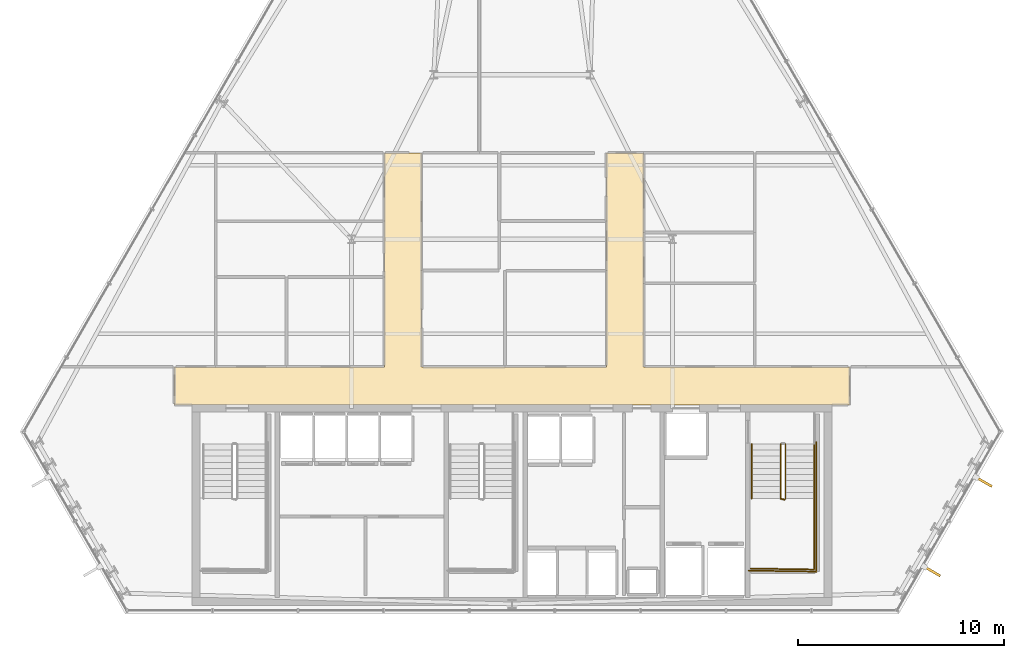
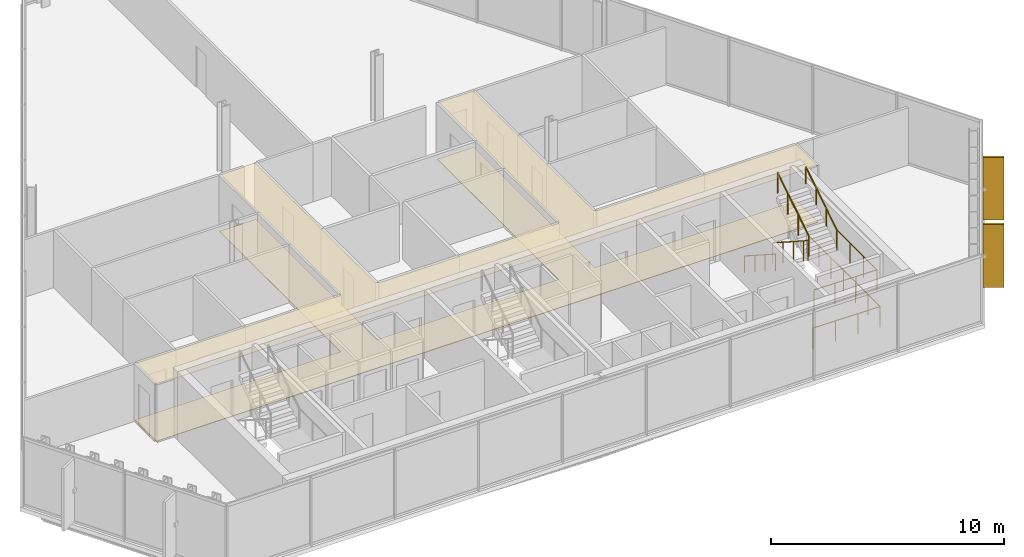
# One storey, part 33 of 35: 6 railings, 2 coverings, 2 shading devices.
"""IFC4 building model written with IfcOpenShell, lengths in metres."""

from ifc_helpers import new_model, si_unit, direction, frame, origin, origin_2d, place, context, subcontext, project, spatial, polyline, rectangle, circle, outline, extrude, material, layer, layer_set, type_object, element, save


model = new_model("IFC4")

# Units and contexts
model_context = context("Model", 3, precision=1e-05, world=origin(), true_north=direction((0.0, 1.0)))
body_context = subcontext(model_context, "Body", "Model", "MODEL_VIEW")
ifc_project = project(units=[si_unit("LENGTHUNIT", "METRE"), si_unit("AREAUNIT", "SQUARE_METRE"), si_unit("VOLUMEUNIT", "CUBIC_METRE"), si_unit("PLANEANGLEUNIT", "RADIAN"), si_unit("MASSUNIT", "GRAM", prefix="KILO")], contexts=[model_context])

# Site, building, storey
site_placement = place(None, origin())
site = spatial("IfcSite", under=ifc_project, at=site_placement, CompositionType="ELEMENT")
building_placement = place(site_placement, origin())
building = spatial("IfcBuilding", under=site, at=building_placement, Name="Ndaravel Arena Tower", CompositionType="ELEMENT")
storey_placement = place(building_placement, frame((0.0, 0.0, 176.39990234375)))
storey = spatial("IfcBuildingStorey", under=building, at=storey_placement, Name="L42", CompositionType="ELEMENT", Elevation=176.39990234375)

# Coverings
ifc_material_1 = material(Name="Acoustic Ceiling Tile", Category="finish")
ifc_layer_1 = layer(ifc_material_1, 0.02490234375)
ifc_layer_set_1 = layer_set([ifc_layer_1], Name="Acoustic Ceiling Tile")
covering_type_1 = type_object("IfcCoveringType", Name="COV-CEIL-AC600", PredefinedType="CEILING", material=ifc_layer_set_1)
covering_1_placement = place(storey_placement, frame((0.0, 0.0, 2.980712890625)))
element("IfcCovering", 1, at=covering_1_placement, inside=storey, type_object=covering_type_1, Name="L42 Corridor Acoustic Ceiling", PredefinedType="CEILING", context=body_context, shape_type="SweptSolid", body=[
    extrude(outline(polyline([(58.39990234375, 17.0), (48.39990234375, 17.0), (48.39990234375, 27.39990234375), (46.60009765625, 27.39990234375), (46.60009765625, 17.0), (37.60009765625, 17.0), (37.60009765625, 27.39990234375), (35.800048828125, 27.39990234375), (35.800048828125, 17.0), (25.60009765625, 17.0), (25.60009765625, 15.14990234375), (58.39990234375, 15.14990234375), (58.39990234375, 17.0)])), origin(), (0.0, 0.0, 1.0), 0.02490234375),
])
ifc_material_2 = material(Name="Terrazzo", Category="stone")
ifc_layer_2 = layer(ifc_material_2, 0.030029296875)
ifc_layer_set_2 = layer_set([ifc_layer_2], Name="Terrazzo")
covering_type_2 = type_object("IfcCoveringType", Name="COV-FLOOR-TERRAZZO", PredefinedType="FLOORING", material=ifc_layer_set_2)
covering_2_placement = place(storey_placement, origin())
element("IfcCovering", 2, at=covering_2_placement, inside=storey, type_object=covering_type_2, Name="L42 Corridor Terrazzo Flooring", PredefinedType="FLOORING", context=body_context, shape_type="SweptSolid", body=[
    extrude(outline(polyline([(58.39990234375, 17.0), (48.39990234375, 17.0), (48.39990234375, 27.39990234375), (46.60009765625, 27.39990234375), (46.60009765625, 17.0), (37.60009765625, 17.0), (37.60009765625, 27.39990234375), (35.800048828125, 27.39990234375), (35.800048828125, 17.0), (25.60009765625, 17.0), (25.60009765625, 15.14990234375), (58.39990234375, 15.14990234375), (58.39990234375, 17.0)])), origin(), (0.0, 0.0, 1.0), 0.030029296875),
])

# Railings
ifc_material_3 = material(Name="Steel S355", Category="steel")
ifc_layer_3 = layer(ifc_material_3, 0.06005859375)
ifc_layer_set_3 = layer_set([ifc_layer_3], Name="Steel S355")
railing_type_1 = type_object("IfcRailingType", Name="RAIL-STAIR-GD1100", PredefinedType="GUARDRAIL", material=ifc_layer_set_3)
railing_1_placement = place(storey_placement, frame((55.050048828125, 13.25, 0.190185546875)))
element("IfcRailing", 3, at=railing_1_placement, inside=storey, type_object=railing_type_1, Name="L42 ST-3 stair guard 1", PredefinedType="GUARDRAIL", context=body_context, shape_type="SweptSolid", body=[
    extrude(circle(Radius=0.02392578125, at=origin_2d()), frame((0.0, 0.0, 1.076171875), z_axis=(0.0, -0.840723540582, 0.54146461409), x_axis=(1.0, 0.0, 0.0)), (0.0, 0.0, 1.0), 3.157958984375),
    extrude(circle(Radius=0.02392578125, at=origin_2d()), frame((0.0, -2.655029296875, 2.7861328125), z_axis=(0.966993988697, -0.254799187253, 0.0), x_axis=(0.254799187253, 0.966993988697, 0.0)), (0.0, 0.0, 1.0), 0.196533203125),
    extrude(circle(Radius=0.02099609375, at=origin_2d()), origin(), (0.0, 0.0, 1.0), 1.052001953125),
    extrude(circle(Radius=0.02099609375, at=origin_2d()), frame((0.0, -0.885009765625, 0.570068359375)), (0.0, 0.0, 1.0), 1.052001953125),
    extrude(circle(Radius=0.02099609375, at=origin_2d()), frame((0.0, -1.77001953125, 1.139892578125)), (0.0, 0.0, 1.0), 1.052001953125),
    extrude(circle(Radius=0.02099609375, at=origin_2d()), frame((0.0, -2.655029296875, 1.7099609375)), (0.0, 0.0, 1.0), 1.052001953125),
    extrude(circle(Radius=0.02099609375, at=origin_2d()), frame((0.18994140625, -2.705078125, 1.7099609375)), (0.0, 0.0, 1.0), 1.052001953125),
])
railing_2_placement = place(storey_placement, frame((56.68994140625, 10.594970703125, 1.900146484375)))
element("IfcRailing", 4, at=railing_2_placement, inside=storey, type_object=railing_type_1, Name="L42 ST-3 stair guard 2", PredefinedType="GUARDRAIL", context=body_context, shape_type="SweptSolid", body=[
    extrude(circle(Radius=0.02392578125, at=origin_2d()), frame((0.0, 0.0, 1.076171875), z_axis=(0.0, -1.0, 0.0), x_axis=(1.0, 0.0, 0.0)), (0.0, 0.0, 1.0), 3.445068359375),
    extrude(circle(Radius=0.02392578125, at=origin_2d()), frame((0.0, -3.445068359375, 1.076171875), z_axis=(-0.999868840623, 0.016195726322, 0.0), x_axis=(-0.016195726322, -0.999868840623, 0.0)), (0.0, 0.0, 1.0), 3.09033203125),
    extrude(circle(Radius=0.02099609375, at=origin_2d()), origin(), (0.0, 0.0, 1.0), 1.052001953125),
    extrude(circle(Radius=0.02099609375, at=origin_2d()), frame((0.0, -1.1484375, 0.0)), (0.0, 0.0, 1.0), 1.052001953125),
    extrude(circle(Radius=0.02099609375, at=origin_2d()), frame((0.0, -2.296630859375, 0.0)), (0.0, 0.0, 1.0), 1.052001953125),
    extrude(circle(Radius=0.02099609375, at=origin_2d()), frame((0.0, -3.445068359375, 0.0)), (0.0, 0.0, 1.0), 1.052001953125),
    extrude(circle(Radius=0.02099609375, at=origin_2d()), frame((-1.030029296875, -3.428466796875, 0.0)), (0.0, 0.0, 1.0), 1.052001953125),
    extrude(circle(Radius=0.02099609375, at=origin_2d()), frame((-2.059814453125, -3.41162109375, 0.0)), (0.0, 0.0, 1.0), 1.052001953125),
    extrude(circle(Radius=0.02099609375, at=origin_2d()), frame((-3.08984375, -3.39501953125, 0.0)), (0.0, 0.0, 1.0), 1.052001953125),
])
railing_3_placement = place(storey_placement, frame((55.2900390625, 10.594970703125, 2.090087890625)))
element("IfcRailing", 5, at=railing_3_placement, inside=storey, type_object=railing_type_1, Name="L42 ST-3 stair guard 3", PredefinedType="GUARDRAIL", context=body_context, shape_type="SweptSolid", body=[
    extrude(circle(Radius=0.02392578125, at=origin_2d()), frame((0.0, 0.0, 1.076171875), z_axis=(0.0, 0.840723540582, 0.54146461409), x_axis=(-1.0, 0.0, 0.0)), (0.0, 0.0, 1.0), 3.157958984375),
    extrude(circle(Radius=0.02099609375, at=origin_2d()), origin(), (0.0, 0.0, 1.0), 1.052001953125),
    extrude(circle(Radius=0.02099609375, at=origin_2d()), frame((0.0, 0.885009765625, 0.570068359375)), (0.0, 0.0, 1.0), 1.052001953125),
    extrude(circle(Radius=0.02099609375, at=origin_2d()), frame((0.0, 1.77001953125, 1.139892578125)), (0.0, 0.0, 1.0), 1.052001953125),
    extrude(circle(Radius=0.02099609375, at=origin_2d()), frame((0.0, 2.655029296875, 1.7099609375)), (0.0, 0.0, 1.0), 1.052001953125),
])
railing_4_placement = place(storey_placement, frame((56.7900390625, 13.35009765625, 0.0)))
element("IfcRailing", 6, at=railing_4_placement, inside=storey, type_object=railing_type_1, Name="L42 ST-3 stair guard 6", PredefinedType="GUARDRAIL", context=body_context, shape_type="SweptSolid", body=[
    extrude(circle(Radius=0.02392578125, at=origin_2d()), frame((0.0, 0.0, 1.076171875), z_axis=(0.0, -1.0, 0.0), x_axis=(1.0, 0.0, 0.0)), (0.0, 0.0, 1.0), 6.300048828125),
    extrude(circle(Radius=0.02392578125, at=origin_2d()), frame((0.0, -6.300048828125, 1.076171875), z_axis=(-0.99988431412, 0.015210469308, 0.0), x_axis=(-0.015210469308, -0.99988431412, 0.0)), (0.0, 0.0, 1.0), 3.29052734375),
    extrude(circle(Radius=0.02099609375, at=origin_2d()), origin(), (0.0, 0.0, 1.0), 1.052001953125),
    extrude(circle(Radius=0.02099609375, at=origin_2d()), frame((0.0, -1.050048828125, 0.0)), (0.0, 0.0, 1.0), 1.052001953125),
    extrude(circle(Radius=0.02099609375, at=origin_2d()), frame((0.0, -2.10009765625, 0.0)), (0.0, 0.0, 1.0), 1.052001953125),
    extrude(circle(Radius=0.02099609375, at=origin_2d()), frame((0.0, -3.14990234375, 0.0)), (0.0, 0.0, 1.0), 1.052001953125),
    extrude(circle(Radius=0.02099609375, at=origin_2d()), frame((0.0, -4.199951171875, 0.0)), (0.0, 0.0, 1.0), 1.052001953125),
    extrude(circle(Radius=0.02099609375, at=origin_2d()), frame((0.0, -5.25, 0.0)), (0.0, 0.0, 1.0), 1.052001953125),
    extrude(circle(Radius=0.02099609375, at=origin_2d()), frame((0.0, -6.300048828125, 0.0)), (0.0, 0.0, 1.0), 1.052001953125),
    extrude(circle(Radius=0.02099609375, at=origin_2d()), frame((-1.0966796875, -6.283447265625, 0.0)), (0.0, 0.0, 1.0), 1.052001953125),
    extrude(circle(Radius=0.02099609375, at=origin_2d()), frame((-2.193359375, -6.2666015625, 0.0)), (0.0, 0.0, 1.0), 1.052001953125),
    extrude(circle(Radius=0.02099609375, at=origin_2d()), frame((-3.2900390625, -6.25, 0.0)), (0.0, 0.0, 1.0), 1.052001953125),
])
ifc_material_4 = material(Name="Steel S355", Category="steel")
ifc_layer_4 = layer(ifc_material_4, 0.050048828125)
ifc_layer_set_4 = layer_set([ifc_layer_4], Name="Steel S355")
railing_type_2 = type_object("IfcRailingType", Name="RAIL-STAIR-HR920", PredefinedType="HANDRAIL", material=ifc_layer_set_4)
railing_5_placement = place(storey_placement, frame((53.64990234375, 13.25, 0.190185546875)))
element("IfcRailing", 7, at=railing_5_placement, inside=storey, type_object=railing_type_2, Name="L42 ST-3 stair handrail 1", PredefinedType="HANDRAIL", context=body_context, shape_type="SweptSolid", body=[
    extrude(circle(Radius=0.02392578125, at=origin_2d()), frame((0.0, 0.0, 0.8759765625), z_axis=(0.0, -0.840723540582, 0.54146461409), x_axis=(1.0, 0.0, 0.0)), (0.0, 0.0, 1.0), 3.157958984375),
    extrude(circle(Radius=0.02099609375, at=origin_2d()), origin(), (0.0, 0.0, 1.0), 0.851806640625),
    extrude(circle(Radius=0.02099609375, at=origin_2d()), frame((0.0, -0.885009765625, 0.570068359375)), (0.0, 0.0, 1.0), 0.851806640625),
    extrude(circle(Radius=0.02099609375, at=origin_2d()), frame((0.0, -1.77001953125, 1.139892578125)), (0.0, 0.0, 1.0), 0.851806640625),
    extrude(circle(Radius=0.02099609375, at=origin_2d()), frame((0.0, -2.655029296875, 1.7099609375)), (0.0, 0.0, 1.0), 0.851806640625),
])
railing_6_placement = place(storey_placement, frame((56.68994140625, 10.594970703125, 2.090087890625)))
element("IfcRailing", 8, at=railing_6_placement, inside=storey, type_object=railing_type_2, Name="L42 ST-3 stair handrail 2", PredefinedType="HANDRAIL", context=body_context, shape_type="SweptSolid", body=[
    extrude(circle(Radius=0.02392578125, at=origin_2d()), frame((0.0, 0.0, 0.8759765625), z_axis=(0.0, 0.840723540582, 0.54146461409), x_axis=(-1.0, 0.0, 0.0)), (0.0, 0.0, 1.0), 3.157958984375),
    extrude(circle(Radius=0.02099609375, at=origin_2d()), origin(), (0.0, 0.0, 1.0), 0.851806640625),
    extrude(circle(Radius=0.02099609375, at=origin_2d()), frame((0.0, 0.885009765625, 0.570068359375)), (0.0, 0.0, 1.0), 0.851806640625),
    extrude(circle(Radius=0.02099609375, at=origin_2d()), frame((0.0, 1.77001953125, 1.139892578125)), (0.0, 0.0, 1.0), 0.851806640625),
    extrude(circle(Radius=0.02099609375, at=origin_2d()), frame((0.0, 2.655029296875, 1.7099609375)), (0.0, 0.0, 1.0), 0.851806640625),
])

# Shading devices
ifc_material_5 = material(Name="Masonry", Category="masonry")
shading_device_type = type_object("IfcShadingDeviceType", Name="SHD-MAZERAS-FIN", PredefinedType="SHUTTER", material=ifc_material_5)
for number, where, z_axis, x_axis, name in (
    (9, (62.420654296875, 7.066162109375, 0.14990234375), (0.0, 0.0, 1.0), (0.866025403784, -0.5, 0.0), "L42 Mazeras Stone Solar Fin E2.1"),
    (10, (64.929931640625, 11.41259765625, 0.14990234375), (0.0, 0.0, 1.0), (0.866025403784, -0.5, 0.0), "L42 Mazeras Stone Solar Fin E2.2"),
):
    element("IfcShadingDevice", number, at=place(storey_placement, frame(where, z_axis=z_axis, x_axis=x_axis)), inside=storey, type_object=shading_device_type, Name=name, PredefinedType="SHUTTER", context=body_context, shape_type="SweptSolid", body=[
        extrude(rectangle(XDim=0.89990234375, YDim=0.1201171875, at=origin_2d()), origin(), (0.0, 0.0, 1.0), 3.280029296875),
    ])

save(model, "model.ifc")
